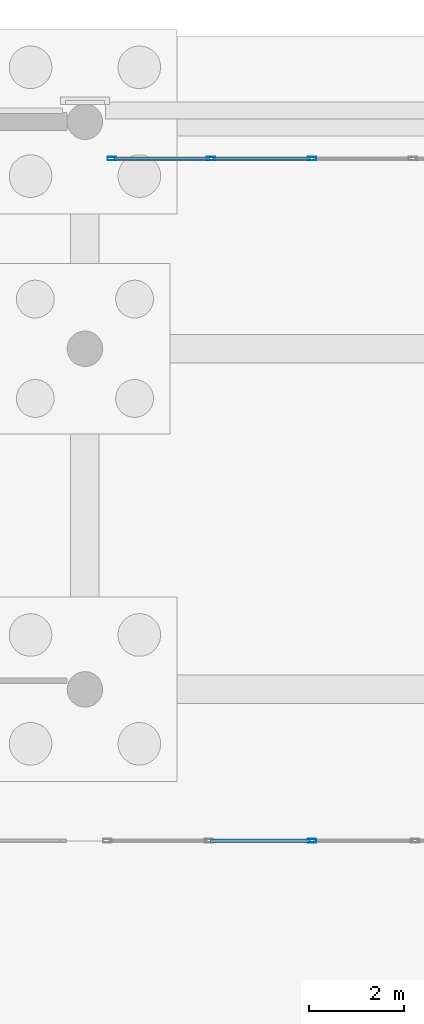
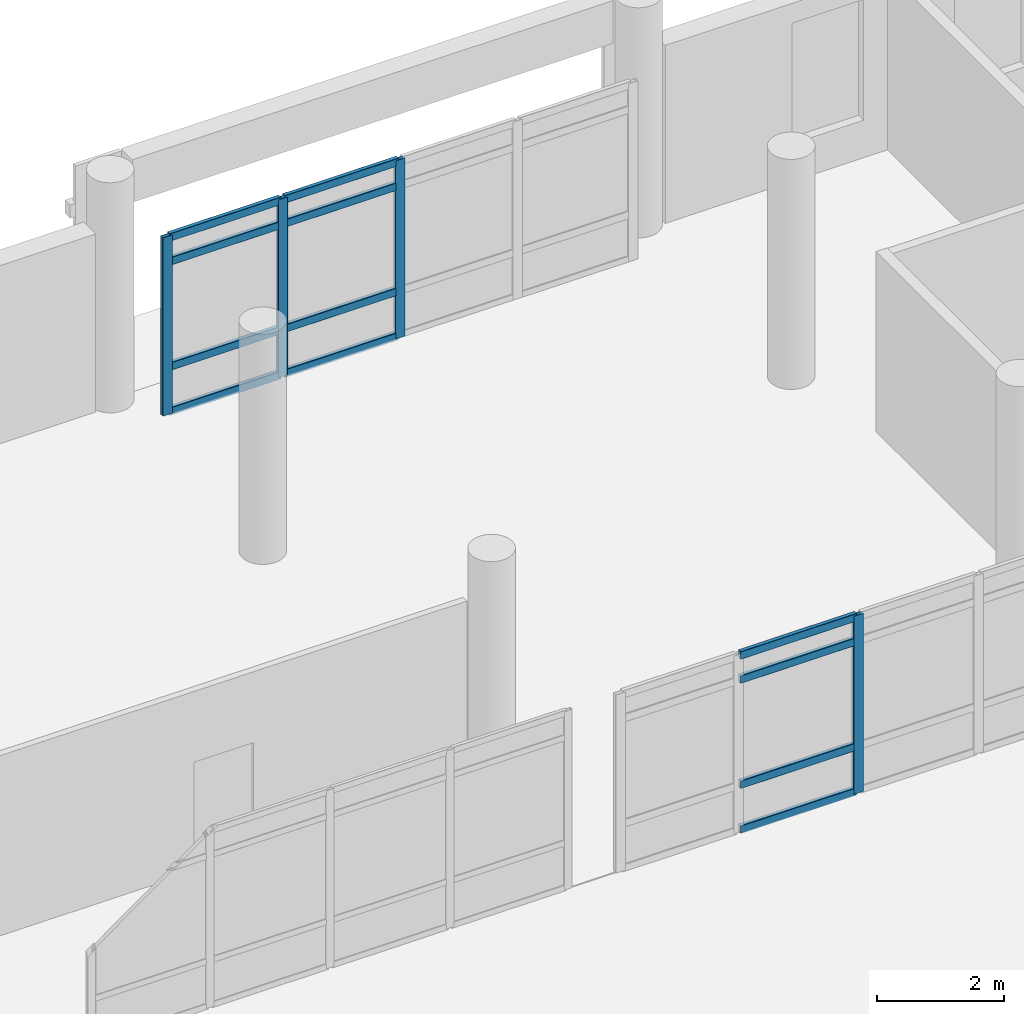
# One storey, part 104 of 196: 16 members, 2 elements without a shape of their own.
"""IFC4 building model written with IfcOpenShell, lengths in metres."""

from ifc_helpers import new_model, si_unit, direction, frame, origin, origin_2d, place, context, subcontext, project, spatial, hollow_rectangle, extrude, material, layer, layer_set, material_profile, profile_set, type_object, element, aggregate, save


model = new_model("IFC4")

# Units and contexts
model_context = context("Model", 3, precision=1e-05, world=origin(), true_north=direction((0.0, 1.0)))
body_context = subcontext(model_context, "Body", "Model", "MODEL_VIEW")
ifc_project = project(units=[si_unit("LENGTHUNIT", "METRE"), si_unit("AREAUNIT", "SQUARE_METRE"), si_unit("VOLUMEUNIT", "CUBIC_METRE"), si_unit("PLANEANGLEUNIT", "RADIAN"), si_unit("MASSUNIT", "GRAM", prefix="KILO")], contexts=[model_context])

# Site, building, storey
site_placement = place(None, origin())
site = spatial("IfcSite", under=ifc_project, at=site_placement, CompositionType="ELEMENT")
building_placement = place(site_placement, origin())
building = spatial("IfcBuilding", under=site, at=building_placement, Name="Asteropetra Specialist Clinic", CompositionType="ELEMENT")
storey_placement = place(building_placement, origin())
storey = spatial("IfcBuildingStorey", under=building, at=storey_placement, Name="L00", CompositionType="ELEMENT", Elevation=0.0)

# Curtain wall, member
ifc_material_1 = material(Name="Aluminium and low-E glass", Category="aluminium")
ifc_layer_1 = layer(ifc_material_1, 0.14990234375)
ifc_layer_set_1 = layer_set([ifc_layer_1], Name="Aluminium and low-E glass")
curtain_wall_type_1 = type_object("IfcCurtainWallType", Name="CW-SYS-05", PredefinedType="USERDEFINED", material=ifc_layer_set_1)
curtain_wall_1_placement = place(storey_placement, origin())
curtain_wall_1 = element("IfcCurtainWall", 1, at=curtain_wall_1_placement, inside=storey, type_object=curtain_wall_type_1, Name="Curtain Wall CW-012", ObjectType="UNITISED CURTAIN WALL", PredefinedType="USERDEFINED")
ifc_material_2 = material(Name="Aluminium 6063-T6", Category="aluminium")
ifc_material_profile_1 = material_profile(ifc_material_2, hollow_rectangle(XDim=0.074951171875, YDim=0.179931640625, WallThickness=0.00390625, InnerFilletRadius=0.00390625, OuterFilletRadius=0.008056640625, at=origin_2d()), Name="MUL 180x75x4.0")
ifc_profile_set_1 = profile_set([ifc_material_profile_1], Name="Aluminium 6063-T6")
member_type_1 = type_object("IfcMemberType", Name="CWM-180x75", PredefinedType="MULLION", material=ifc_profile_set_1)
member_1_placement = place(storey_placement, frame((62.39990234375, 95.199951171875, 0.0), z_axis=(0.0, 0.0, 1.0), x_axis=(0.0, -1.0, 0.0)))
member_1 = element("IfcMember", 2, at=member_1_placement, type_object=member_type_1, Name="CW-012 mullion 3", PredefinedType="MULLION", context=body_context, shape_type="SweptSolid", body=[
    extrude(hollow_rectangle(XDim=0.074951171875, YDim=0.179931640625, WallThickness=0.00390625, InnerFilletRadius=0.00390625, OuterFilletRadius=0.008056640625, at=origin_2d()), origin(), (0.0, 0.0, 1.0), 3.419921875),
])

# Curtain wall, members
ifc_material_3 = material(Name="Aluminium and low-E glass", Category="aluminium")
ifc_layer_2 = layer(ifc_material_3, 0.179931640625)
ifc_layer_set_2 = layer_set([ifc_layer_2], Name="Aluminium and low-E glass")
curtain_wall_type_2 = type_object("IfcCurtainWallType", Name="CW-SYS-10", PredefinedType="USERDEFINED", material=ifc_layer_set_2)
curtain_wall_2_placement = place(storey_placement, origin())
curtain_wall_2 = element("IfcCurtainWall", 3, at=curtain_wall_2_placement, inside=storey, type_object=curtain_wall_type_2, Name="Curtain Wall CW-186", ObjectType="STICK GLAZED COLONNADE", PredefinedType="USERDEFINED")
member_2_placement = place(storey_placement, frame((62.39990234375, 109.6201171875, 0.0), z_axis=(0.0, 0.0, 1.0), x_axis=(0.0, -1.0, 0.0)))
member_2 = element("IfcMember", 4, at=member_2_placement, type_object=member_type_1, Name="CW-186 mullion 3", PredefinedType="MULLION", context=body_context, shape_type="SweptSolid", body=[
    extrude(hollow_rectangle(XDim=0.074951171875, YDim=0.179931640625, WallThickness=0.00390625, InnerFilletRadius=0.00390625, OuterFilletRadius=0.008056640625, at=origin_2d()), origin(), (0.0, 0.0, 1.0), 3.419921875),
])
member_3_placement = place(storey_placement, frame((60.267578125, 109.6201171875, 0.0), z_axis=(0.0, 0.0, 1.0), x_axis=(0.0, -1.0, 0.0)))
member_3 = element("IfcMember", 5, at=member_3_placement, type_object=member_type_1, Name="CW-186 mullion 4", PredefinedType="MULLION", context=body_context, shape_type="SweptSolid", body=[
    extrude(hollow_rectangle(XDim=0.074951171875, YDim=0.179931640625, WallThickness=0.00390625, InnerFilletRadius=0.00390625, OuterFilletRadius=0.008056640625, at=origin_2d()), origin(), (0.0, 0.0, 1.0), 3.419921875),
])
member_4_placement = place(storey_placement, frame((58.172607421875, 109.6201171875, 0.0), z_axis=(0.0, 0.0, 1.0), x_axis=(0.0, -1.0, 0.0)))
member_4 = element("IfcMember", 6, at=member_4_placement, type_object=member_type_1, Name="CW-186 mullion 5", PredefinedType="MULLION", context=body_context, shape_type="SweptSolid", body=[
    extrude(hollow_rectangle(XDim=0.074951171875, YDim=0.179931640625, WallThickness=0.00390625, InnerFilletRadius=0.00390625, OuterFilletRadius=0.008056640625, at=origin_2d()), origin(), (0.0, 0.0, 1.0), 3.419921875),
])

# Member
ifc_material_4 = material(Name="Aluminium 6063-T6", Category="aluminium")
ifc_material_profile_2 = material_profile(ifc_material_4, hollow_rectangle(XDim=0.074951171875, YDim=0.14990234375, WallThickness=0.00390625, InnerFilletRadius=0.00390625, OuterFilletRadius=0.008056640625, at=origin_2d()), Name="TRN 150x75x4.0")
ifc_profile_set_2 = profile_set([ifc_material_profile_2], Name="Aluminium 6063-T6")
member_type_2 = type_object("IfcMemberType", Name="CWT-150x75", PredefinedType="USERDEFINED", material=ifc_profile_set_2)
member_5_placement = place(storey_placement, frame((62.362548828125, 95.199951171875, 0.03759765625), z_axis=(-1.0, 0.0, 0.0), x_axis=(0.0, -1.0, 0.0)))
member_5 = element("IfcMember", 7, at=member_5_placement, type_object=member_type_2, Name="CW-012 transom 3.1", ObjectType="TRANSOM", PredefinedType="USERDEFINED", context=body_context, shape_type="SweptSolid", body=[
    extrude(hollow_rectangle(XDim=0.074951171875, YDim=0.14990234375, WallThickness=0.00390625, InnerFilletRadius=0.00390625, OuterFilletRadius=0.008056640625, at=origin_2d()), origin(), (0.0, 0.0, 1.0), 2.10498046875),
])

member_6_placement = place(storey_placement, frame((62.362548828125, 95.199951171875, 0.89990234375), z_axis=(-1.0, 0.0, 0.0), x_axis=(0.0, -1.0, 0.0)))
member_6 = element("IfcMember", 8, at=member_6_placement, type_object=member_type_2, Name="CW-012 transom 3.2", ObjectType="TRANSOM", PredefinedType="USERDEFINED", context=body_context, shape_type="SweptSolid", body=[
    extrude(hollow_rectangle(XDim=0.074951171875, YDim=0.14990234375, WallThickness=0.00390625, InnerFilletRadius=0.00390625, OuterFilletRadius=0.008056640625, at=origin_2d()), origin(), (0.0, 0.0, 1.0), 2.10498046875),
])

member_7_placement = place(storey_placement, frame((62.362548828125, 95.199951171875, 2.919921875), z_axis=(-1.0, 0.0, 0.0), x_axis=(0.0, -1.0, 0.0)))
member_7 = element("IfcMember", 9, at=member_7_placement, type_object=member_type_2, Name="CW-012 transom 3.3", ObjectType="TRANSOM", PredefinedType="USERDEFINED", context=body_context, shape_type="SweptSolid", body=[
    extrude(hollow_rectangle(XDim=0.074951171875, YDim=0.14990234375, WallThickness=0.00390625, InnerFilletRadius=0.00390625, OuterFilletRadius=0.008056640625, at=origin_2d()), origin(), (0.0, 0.0, 1.0), 2.10498046875),
])

member_8_placement = place(storey_placement, frame((62.362548828125, 95.199951171875, 3.382568359375), z_axis=(-1.0, 0.0, 0.0), x_axis=(0.0, -1.0, 0.0)))
member_8 = element("IfcMember", 10, at=member_8_placement, type_object=member_type_2, Name="CW-012 transom 3.4", ObjectType="TRANSOM", PredefinedType="USERDEFINED", context=body_context, shape_type="SweptSolid", body=[
    extrude(hollow_rectangle(XDim=0.074951171875, YDim=0.14990234375, WallThickness=0.00390625, InnerFilletRadius=0.00390625, OuterFilletRadius=0.008056640625, at=origin_2d()), origin(), (0.0, 0.0, 1.0), 2.10498046875),
])

aggregate(curtain_wall_1, [member_1, member_5, member_6, member_7, member_8])

member_9_placement = place(storey_placement, frame((62.362548828125, 109.6201171875, 0.03759765625), z_axis=(-1.0, 0.0, 0.0), x_axis=(0.0, -1.0, 0.0)))
member_9 = element("IfcMember", 11, at=member_9_placement, type_object=member_type_2, Name="CW-186 transom 3.1", ObjectType="TRANSOM", PredefinedType="USERDEFINED", context=body_context, shape_type="SweptSolid", body=[
    extrude(hollow_rectangle(XDim=0.074951171875, YDim=0.14990234375, WallThickness=0.00390625, InnerFilletRadius=0.00390625, OuterFilletRadius=0.008056640625, at=origin_2d()), origin(), (0.0, 0.0, 1.0), 2.0576171875),
])

member_10_placement = place(storey_placement, frame((62.362548828125, 109.6201171875, 0.89990234375), z_axis=(-1.0, 0.0, 0.0), x_axis=(0.0, -1.0, 0.0)))
member_10 = element("IfcMember", 12, at=member_10_placement, type_object=member_type_2, Name="CW-186 transom 3.2", ObjectType="TRANSOM", PredefinedType="USERDEFINED", context=body_context, shape_type="SweptSolid", body=[
    extrude(hollow_rectangle(XDim=0.074951171875, YDim=0.14990234375, WallThickness=0.00390625, InnerFilletRadius=0.00390625, OuterFilletRadius=0.008056640625, at=origin_2d()), origin(), (0.0, 0.0, 1.0), 2.0576171875),
])

member_11_placement = place(storey_placement, frame((62.362548828125, 109.6201171875, 2.919921875), z_axis=(-1.0, 0.0, 0.0), x_axis=(0.0, -1.0, 0.0)))
member_11 = element("IfcMember", 13, at=member_11_placement, type_object=member_type_2, Name="CW-186 transom 3.3", ObjectType="TRANSOM", PredefinedType="USERDEFINED", context=body_context, shape_type="SweptSolid", body=[
    extrude(hollow_rectangle(XDim=0.074951171875, YDim=0.14990234375, WallThickness=0.00390625, InnerFilletRadius=0.00390625, OuterFilletRadius=0.008056640625, at=origin_2d()), origin(), (0.0, 0.0, 1.0), 2.0576171875),
])

member_12_placement = place(storey_placement, frame((62.362548828125, 109.6201171875, 3.382568359375), z_axis=(-1.0, 0.0, 0.0), x_axis=(0.0, -1.0, 0.0)))
member_12 = element("IfcMember", 14, at=member_12_placement, type_object=member_type_2, Name="CW-186 transom 3.4", ObjectType="TRANSOM", PredefinedType="USERDEFINED", context=body_context, shape_type="SweptSolid", body=[
    extrude(hollow_rectangle(XDim=0.074951171875, YDim=0.14990234375, WallThickness=0.00390625, InnerFilletRadius=0.00390625, OuterFilletRadius=0.008056640625, at=origin_2d()), origin(), (0.0, 0.0, 1.0), 2.0576171875),
])

member_13_placement = place(storey_placement, frame((60.22998046875, 109.6201171875, 0.03759765625), z_axis=(-1.0, 0.0, 0.0), x_axis=(0.0, -1.0, 0.0)))
member_13 = element("IfcMember", 15, at=member_13_placement, type_object=member_type_2, Name="CW-186 transom 4.1", ObjectType="TRANSOM", PredefinedType="USERDEFINED", context=body_context, shape_type="SweptSolid", body=[
    extrude(hollow_rectangle(XDim=0.074951171875, YDim=0.14990234375, WallThickness=0.00390625, InnerFilletRadius=0.00390625, OuterFilletRadius=0.008056640625, at=origin_2d()), origin(), (0.0, 0.0, 1.0), 2.02001953125),
])

member_14_placement = place(storey_placement, frame((60.22998046875, 109.6201171875, 0.89990234375), z_axis=(-1.0, 0.0, 0.0), x_axis=(0.0, -1.0, 0.0)))
member_14 = element("IfcMember", 16, at=member_14_placement, type_object=member_type_2, Name="CW-186 transom 4.2", ObjectType="TRANSOM", PredefinedType="USERDEFINED", context=body_context, shape_type="SweptSolid", body=[
    extrude(hollow_rectangle(XDim=0.074951171875, YDim=0.14990234375, WallThickness=0.00390625, InnerFilletRadius=0.00390625, OuterFilletRadius=0.008056640625, at=origin_2d()), origin(), (0.0, 0.0, 1.0), 2.02001953125),
])

member_15_placement = place(storey_placement, frame((60.22998046875, 109.6201171875, 2.919921875), z_axis=(-1.0, 0.0, 0.0), x_axis=(0.0, -1.0, 0.0)))
member_15 = element("IfcMember", 17, at=member_15_placement, type_object=member_type_2, Name="CW-186 transom 4.3", ObjectType="TRANSOM", PredefinedType="USERDEFINED", context=body_context, shape_type="SweptSolid", body=[
    extrude(hollow_rectangle(XDim=0.074951171875, YDim=0.14990234375, WallThickness=0.00390625, InnerFilletRadius=0.00390625, OuterFilletRadius=0.008056640625, at=origin_2d()), origin(), (0.0, 0.0, 1.0), 2.02001953125),
])

member_16_placement = place(storey_placement, frame((60.22998046875, 109.6201171875, 3.382568359375), z_axis=(-1.0, 0.0, 0.0), x_axis=(0.0, -1.0, 0.0)))
member_16 = element("IfcMember", 18, at=member_16_placement, type_object=member_type_2, Name="CW-186 transom 4.4", ObjectType="TRANSOM", PredefinedType="USERDEFINED", context=body_context, shape_type="SweptSolid", body=[
    extrude(hollow_rectangle(XDim=0.074951171875, YDim=0.14990234375, WallThickness=0.00390625, InnerFilletRadius=0.00390625, OuterFilletRadius=0.008056640625, at=origin_2d()), origin(), (0.0, 0.0, 1.0), 2.02001953125),
])

aggregate(curtain_wall_2, [member_2, member_3, member_4, member_9, member_10, member_11, member_12, member_13, member_14, member_15, member_16])

save(model, "model.ifc")
